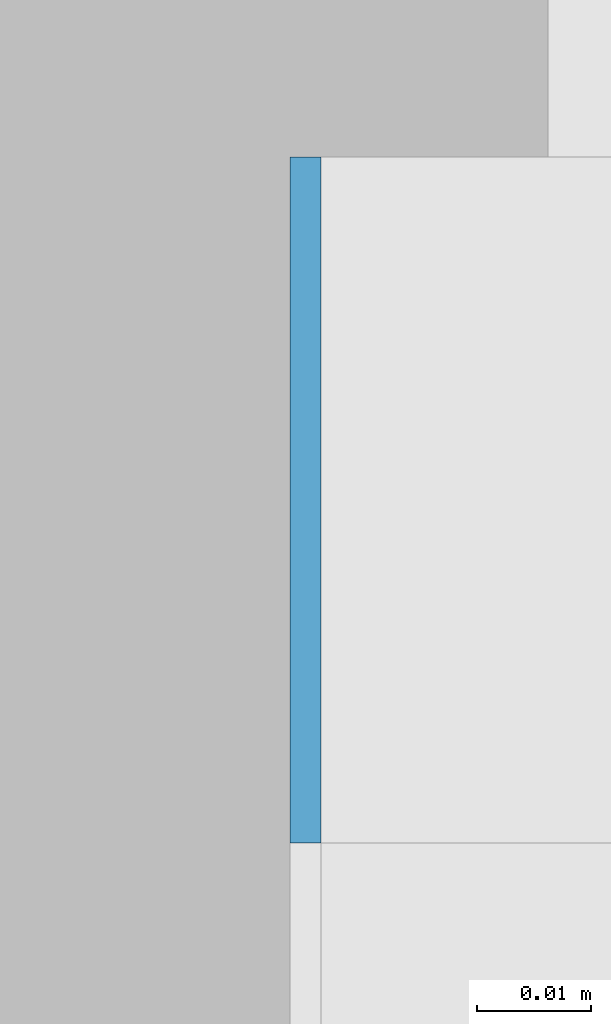
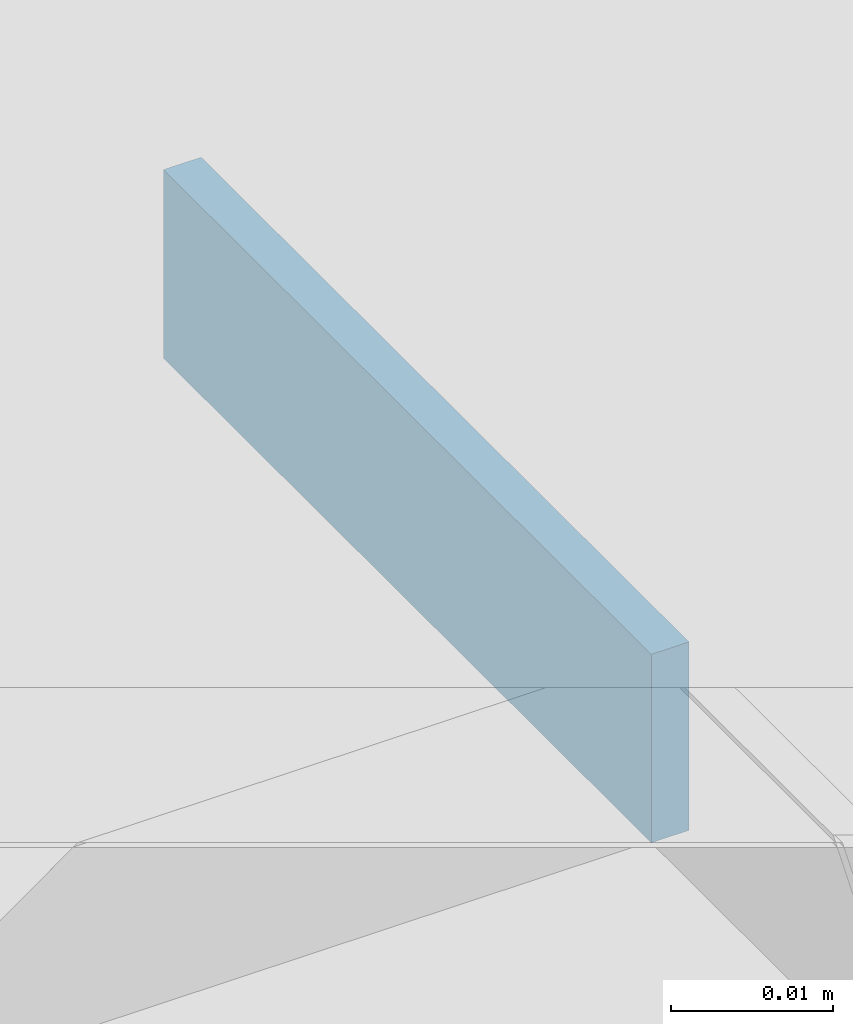
# One storey, part 445 of 646: 1 discrete accessory.
"""IFC4 building model written with IfcOpenShell, lengths in metres."""

import ifcopenshell
import ifcopenshell.guid

model = None  # the IFC model being written
_history = None  # IfcOwnerHistory: only IFC2X3 demands one
_inside = {}  # id of a spatial element -> (the spatial element, [elements in it])
_under = {}  # id of a project, library or spatial element -> (it, [spatial elements below it])
_declared = {}  # id of a project -> (the project, [libraries it declares])
_typed = {}  # id of a type object -> (the type object, [elements of that type])
_made_of = {}  # id of a material, layer set ... -> (it, [elements and type objects made of it])


def new_model(schema):
    """Start an empty IFC model of exactly this schema.

    Asked for "IFC4X3", IfcOpenShell would pick the latest addendum, in which some entities
    have other attributes; the version numbers below select the first issue.
    IFC2X3 requires an IfcOwnerHistory on every rooted entity: one is made here for all.
    """
    global model, _history
    if schema == "IFC4X3":
        model = ifcopenshell.file(schema_version=(4, 3, 0, 0))
    else:
        model = ifcopenshell.file(schema=schema)
    _inside.clear()
    _under.clear()
    _declared.clear()
    _typed.clear()
    _made_of.clear()
    _history = None
    if model.schema == "IFC2X3":
        org = make("IfcOrganization", Name="unknown")
        user = make(
            "IfcPersonAndOrganization",
            ThePerson=make("IfcPerson", FamilyName="unknown"),
            TheOrganization=org,
        )
        app = make(
            "IfcApplication",
            ApplicationDeveloper=org,
            Version="unknown",
            ApplicationFullName="unknown",
            ApplicationIdentifier="unknown",
        )
        _history = make(
            "IfcOwnerHistory",
            OwningUser=user,
            OwningApplication=app,
            ChangeAction="ADDED",
            CreationDate=0,
        )
    return model


def make(cls, **values):
    """One entity of the class cls with the attributes given. An attribute that is None is left unset."""
    return model.create_entity(
        cls, **{name: value for name, value in values.items() if value is not None}
    )


def rooted(cls, **values):
    """An entity with a GlobalId (a new one), such as an element, a storey or a relation."""
    return make(cls, GlobalId=ifcopenshell.guid.new(), OwnerHistory=_history, **values)


def si_unit(unit_type, name, prefix=None):
    """IfcSIUnit, for example si_unit("LENGTHUNIT", "METRE", prefix="MILLI")."""
    return make("IfcSIUnit", UnitType=unit_type, Prefix=prefix, Name=name)


def assignment(units):
    """IfcUnitAssignment: the units of a project."""
    return None if units is None else make("IfcUnitAssignment", Units=units)


def point(xyz):
    """IfcCartesianPoint."""
    return None if xyz is None else make("IfcCartesianPoint", Coordinates=xyz)


def direction(xyz):
    """IfcDirection."""
    return None if xyz is None else make("IfcDirection", DirectionRatios=xyz)


def frame(location, z_axis=None, x_axis=None):
    """IfcAxis2Placement3D, a coordinate frame: its origin and axes. An axis left out is left unset."""
    return make(
        "IfcAxis2Placement3D",
        Location=point(location),
        Axis=direction(z_axis),
        RefDirection=direction(x_axis),
    )


def frame_2d(location, x_axis=None):
    """IfcAxis2Placement2D, a coordinate frame in the plane: its origin and x axis."""
    return make(
        "IfcAxis2Placement2D", Location=point(location), RefDirection=direction(x_axis)
    )


def origin():
    """The frame at (0, 0, 0) with its axes left unset."""
    return frame((0.0, 0.0, 0.0))


def origin_2d():
    """The frame at (0, 0) in the plane with its x axis left unset."""
    return frame_2d((0.0, 0.0))


def place(relative_to, where):
    """IfcLocalPlacement: puts the frame where relative to a parent placement (None: the world)."""
    return make(
        "IfcLocalPlacement", PlacementRelTo=relative_to, RelativePlacement=where
    )


def context(
    kind, dimensions, precision=None, world=None, true_north=None, identifier=None
):
    """IfcGeometricRepresentationContext, for example the 3D "Model" context."""
    return make(
        "IfcGeometricRepresentationContext",
        ContextIdentifier=identifier,
        ContextType=kind,
        CoordinateSpaceDimension=dimensions,
        Precision=precision,
        WorldCoordinateSystem=world,
        TrueNorth=true_north,
    )


def subcontext(parent, identifier, kind, view, scale=None):
    """IfcGeometricRepresentationSubContext, for example "Body" below "Model"."""
    return make(
        "IfcGeometricRepresentationSubContext",
        ContextIdentifier=identifier,
        ContextType=kind,
        ParentContext=parent,
        TargetScale=scale,
        TargetView=view,
    )


def project(units=None, contexts=None):
    """IfcProject with its units and contexts."""
    return rooted(
        "IfcProject",
        Name="project",
        RepresentationContexts=contexts,
        UnitsInContext=assignment(units),
    )


def spatial(cls, under=None, at=None, **own):
    """A site, building, storey or space (cls), placed at a placement, below another one or the project."""
    s = rooted(cls, ObjectPlacement=at, **own)
    if under is not None:
        _under.setdefault(under.id(), (under, []))[1].append(s)
    return s


def profile(cls, at=None, kind="AREA", **sizes):
    """A parametric profile (cls). Its sizes go by their IFC names, for example OverallWidth=200.0."""
    return make(cls, ProfileType=kind, Position=at, **sizes)


def rectangle(**sizes):
    """IfcRectangleProfileDef."""
    return profile("IfcRectangleProfileDef", **sizes)


def extrude(swept, where, along, depth):
    """IfcExtrudedAreaSolid: the profile swept, set in the frame where, extruded along a direction by depth."""
    return make(
        "IfcExtrudedAreaSolid",
        SweptArea=swept,
        Position=where,
        ExtrudedDirection=direction(along),
        Depth=depth,
    )


def shape(context_of_items, identifier, shape_type, items):
    """IfcShapeRepresentation: the items that make up one representation, for example the "Body"."""
    return make(
        "IfcShapeRepresentation",
        ContextOfItems=context_of_items,
        RepresentationIdentifier=identifier,
        RepresentationType=shape_type,
        Items=items,
    )


def material(Name=None, Category=None):
    """IfcMaterial."""
    return make("IfcMaterial", Name=Name, Category=Category)


def made_of(thing, what):
    """Note that an element or type object is made of a material, layer set ...; save() writes the relation."""
    if what is not None:
        _made_of.setdefault(what.id(), (what, []))[1].append(thing)
    return thing


def type_object(cls, material=None, **own):
    """A type object (cls), such as IfcWallType, which elements share."""
    return made_of(rooted(cls, **own), material)


def element(
    cls,
    number,
    at=None,
    inside=None,
    cuts=None,
    type_object=None,
    material=None,
    context=None,
    identifier="Body",
    shape_type=None,
    held_by="IfcProductDefinitionShape",
    body=None,
    shapes=None,
    **own,
):
    """One element of the class cls, such as IfcWall. Its Tag is "e" and its number.

    at: its placement. inside: the storey or other place that contains it. cuts: it is an
    opening in that element (IfcRelVoidsElement). A single representation is given by context,
    identifier, shape_type and body (its items); several are given by shapes. held_by: the class
    of the entity that holds the representations. save() writes the other relations.
    """
    e = rooted(cls, Tag="e%d" % number, ObjectPlacement=at, **own)
    if body is not None:
        shapes = [shape(context, identifier, shape_type, body)]
    if shapes is not None:
        e.Representation = make(held_by, Representations=shapes)
    if inside is not None:
        _inside.setdefault(inside.id(), (inside, []))[1].append(e)
    if cuts is not None:
        rooted(
            "IfcRelVoidsElement", RelatingBuildingElement=cuts, RelatedOpeningElement=e
        )
    if type_object is not None:
        _typed.setdefault(type_object.id(), (type_object, []))[1].append(e)
    return made_of(e, material)


def aggregate(whole, parts):
    """IfcRelAggregates: a whole, such as a stair, and the parts it consists of."""
    return rooted("IfcRelAggregates", RelatingObject=whole, RelatedObjects=parts)


def save(model, path):
    """Write the relations noted so far, then the file.

    IfcRelAggregates (storeys below a building ...), IfcRelContainedInSpatialStructure (elements
    in a storey), IfcRelDefinesByType, IfcRelAssociatesMaterial and IfcRelDeclares: one each for
    every whole, place, type object, material and project.
    """
    for whole, parts in _under.values():
        aggregate(whole, parts)
    for where, things in _inside.values():
        rooted(
            "IfcRelContainedInSpatialStructure",
            RelatedElements=things,
            RelatingStructure=where,
        )
    for kind, things in _typed.values():
        rooted("IfcRelDefinesByType", RelatedObjects=things, RelatingType=kind)
    for what, things in _made_of.values():
        rooted("IfcRelAssociatesMaterial", RelatedObjects=things, RelatingMaterial=what)
    for by, libraries in _declared.values():
        rooted("IfcRelDeclares", RelatingContext=by, RelatedDefinitions=libraries)
    model.write(path)


model = new_model("IFC4")

# Units and contexts
model_context = context("Model", 3, precision=1e-05, world=origin(), true_north=direction((0.0, 1.0)))
body_context = subcontext(model_context, "Body", "Model", "MODEL_VIEW")
ifc_project = project(units=[si_unit("LENGTHUNIT", "METRE"), si_unit("AREAUNIT", "SQUARE_METRE"), si_unit("VOLUMEUNIT", "CUBIC_METRE"), si_unit("PLANEANGLEUNIT", "RADIAN"), si_unit("MASSUNIT", "GRAM", prefix="KILO")], contexts=[model_context])

# Site, building, storey
site_placement = place(None, origin())
site = spatial("IfcSite", under=ifc_project, at=site_placement, CompositionType="ELEMENT")
building_placement = place(site_placement, origin())
building = spatial("IfcBuilding", under=site, at=building_placement, Name="Silverbay Arena", CompositionType="ELEMENT")
storey_placement = place(building_placement, frame((0.0, 0.0, 33.5)))
storey = spatial("IfcBuildingStorey", under=building, at=storey_placement, Name="L05", CompositionType="ELEMENT", Elevation=33.5)

# Discrete accessory
ifc_material = material(Name="Steel S355", Category="steel")
discrete_accessory_type = type_object("IfcDiscreteAccessoryType", Name="Steel bracket plate", PredefinedType="BRACKET", material=ifc_material)
discrete_accessory_placement = place(storey_placement, frame((207.128662109375, 36.030029296875, 12.98583984375), z_axis=(0.0, 0.0, 1.0), x_axis=(1.0, 0.0, 0.0)))
element("IfcDiscreteAccessory", 1, at=discrete_accessory_placement, inside=storey, type_object=discrete_accessory_type, Name="Curtain wall packing plate", PredefinedType="BRACKET", context=body_context, shape_type="SweptSolid", body=[
    extrude(rectangle(XDim=0.002685546875, YDim=0.06005859375, at=origin_2d()), origin(), (0.0, 0.0, 1.0), 0.01416015625),
])

save(model, "model.ifc")
